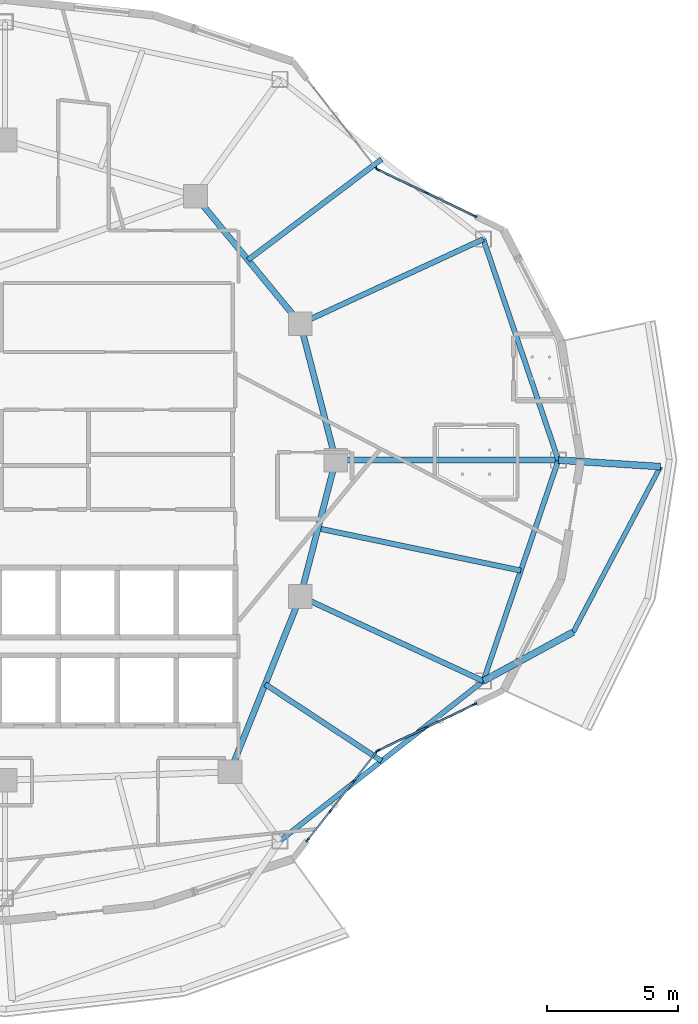
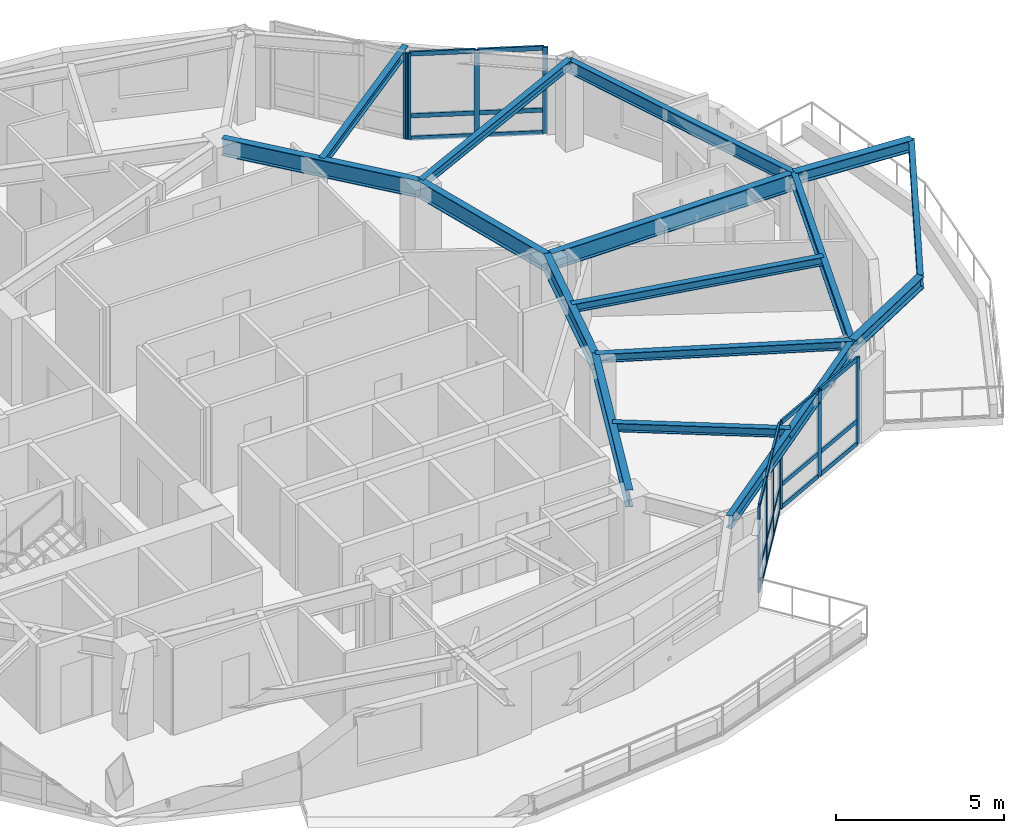
# One storey, part 4 of 19: 32 members, 16 beams, 4 elements without a shape of their own.
"""IFC4 building model written with IfcOpenShell, lengths in metres."""

from ifc_helpers import new_model, si_unit, direction, frame, origin, origin_2d, place, context, subcontext, project, spatial, rectangle, i_section, extrude, material, layer, layer_set, material_profile, profile_set, type_object, element, aggregate, save


model = new_model("IFC4")

# Units and contexts
model_context = context("Model", 3, precision=1e-05, world=origin(), true_north=direction((0.0, 1.0)))
body_context = subcontext(model_context, "Body", "Model", "MODEL_VIEW")
ifc_project = project(units=[si_unit("LENGTHUNIT", "METRE"), si_unit("AREAUNIT", "SQUARE_METRE"), si_unit("VOLUMEUNIT", "CUBIC_METRE"), si_unit("PLANEANGLEUNIT", "RADIAN"), si_unit("MASSUNIT", "GRAM", prefix="KILO")], contexts=[model_context])

# Site, building, storey
site_placement = place(None, origin())
site = spatial("IfcSite", under=ifc_project, at=site_placement, CompositionType="ELEMENT")
building_placement = place(site_placement, origin())
building = spatial("IfcBuilding", under=site, at=building_placement, Name="Kolvaren Gate Tower and Convention Centre", CompositionType="ELEMENT")
storey_placement = place(building_placement, frame((0.0, 0.0, 169.89990234375)))
storey = spatial("IfcBuildingStorey", under=building, at=storey_placement, Name="L44", CompositionType="ELEMENT", Elevation=169.89990234375)

# Curtain wall, members
ifc_material_1 = material(Name="Anodized Architectural Aluminium Alloy 6063-T6", Category="aluminium")
ifc_layer = layer(ifc_material_1, 0.159912109375)
ifc_layer_set = layer_set([ifc_layer], Name="Anodized Architectural Aluminium Alloy 6063-T6")
curtain_wall_type = type_object("IfcCurtainWallType", Name="CW-HTL-UNIT", PredefinedType="NOTDEFINED", material=ifc_layer_set)
curtain_wall_1_placement = place(storey_placement, origin())
curtain_wall_1 = element("IfcCurtainWall", 1, at=curtain_wall_1_placement, inside=storey, type_object=curtain_wall_type, Name="Tower L44 Unitised Curtain Wall CW-HTL-UNIT Bay 02", PredefinedType="NOTDEFINED")
ifc_material_profile_1 = material_profile(ifc_material_1, rectangle(XDim=0.06494140625, YDim=0.159912109375, at=origin_2d()), Name="CW-MEM-MUL-160")
ifc_profile_set_1 = profile_set([ifc_material_profile_1], Name="Anodized Architectural Aluminium Alloy 6063-T6")
member_type_1 = type_object("IfcMemberType", Name="CW-MEM-MUL-160", PredefinedType="MULLION", material=ifc_profile_set_1)
member_1_placement = place(storey_placement, frame((44.3427734375, 38.072021484375, 0.0), z_axis=(0.0, 0.0, 1.0), x_axis=(0.433073742482, 0.901358493371, 0.0)))
member_1 = element("IfcMember", 2, at=member_1_placement, type_object=member_type_1, Name="CW-03 mullion 1", PredefinedType="MULLION", context=body_context, shape_type="SweptSolid", body=[
    extrude(rectangle(XDim=0.06494140625, YDim=0.159912109375, at=origin_2d()), origin(), (0.0, 0.0, 1.0), 3.130126953125),
])
member_2_placement = place(storey_placement, frame((46.18603515625, 37.186279296875, 0.0), z_axis=(0.0, 0.0, 1.0), x_axis=(0.433073742482, 0.901358493371, 0.0)))
member_2 = element("IfcMember", 3, at=member_2_placement, type_object=member_type_1, Name="CW-03 mullion 2", PredefinedType="MULLION", context=body_context, shape_type="SweptSolid", body=[
    extrude(rectangle(XDim=0.06494140625, YDim=0.159912109375, at=origin_2d()), origin(), (0.0, 0.0, 1.0), 3.130126953125),
])
member_3_placement = place(storey_placement, frame((48.029296875, 36.30078125, 0.0), z_axis=(0.0, 0.0, 1.0), x_axis=(0.433073742482, 0.901358493371, 0.0)))
member_3 = element("IfcMember", 4, at=member_3_placement, type_object=member_type_1, Name="CW-03 mullion 3", PredefinedType="MULLION", context=body_context, shape_type="SweptSolid", body=[
    extrude(rectangle(XDim=0.06494140625, YDim=0.159912109375, at=origin_2d()), origin(), (0.0, 0.0, 1.0), 3.130126953125),
])

# Curtain wall, member
curtain_wall_2_placement = place(storey_placement, origin())
curtain_wall_2 = element("IfcCurtainWall", 5, at=curtain_wall_2_placement, inside=storey, type_object=curtain_wall_type, Name="Tower L44 Unitised Curtain Wall CW-HTL-UNIT Bay 03", PredefinedType="NOTDEFINED")
member_4_placement = place(storey_placement, frame((44.29345703125, 38.111572265625, 0.0), z_axis=(0.0, 0.0, 1.0), x_axis=(0.787403535469, 0.616437890084, 0.0)))
member_4 = element("IfcMember", 6, at=member_4_placement, type_object=member_type_1, Name="CW-03 mullion 4", PredefinedType="MULLION", context=body_context, shape_type="SweptSolid", body=[
    extrude(rectangle(XDim=0.06494140625, YDim=0.159912109375, at=origin_2d()), origin(), (0.0, 0.0, 1.0), 3.130126953125),
])
aggregate(curtain_wall_2, [member_4])

# Curtain wall, members
curtain_wall_3_placement = place(storey_placement, origin())
curtain_wall_3 = element("IfcCurtainWall", 7, at=curtain_wall_3_placement, inside=storey, type_object=curtain_wall_type, Name="Tower L44 Unitised Curtain Wall CW-HTL-UNIT Bay 20", PredefinedType="NOTDEFINED")
member_5_placement = place(storey_placement, frame((41.65380859375, 12.5166015625, 0.0), z_axis=(0.0, 0.0, 1.0), x_axis=(-0.787403535469, 0.616437890084, 0.0)))
member_5 = element("IfcMember", 8, at=member_5_placement, type_object=member_type_1, Name="CW-03 mullion 1", PredefinedType="MULLION", context=body_context, shape_type="SweptSolid", body=[
    extrude(rectangle(XDim=0.06494140625, YDim=0.159912109375, at=origin_2d()), origin(), (0.0, 0.0, 1.0), 3.130126953125),
])
member_6_placement = place(storey_placement, frame((42.527099609375, 13.632080078125, 0.0), z_axis=(0.0, 0.0, 1.0), x_axis=(-0.787403535469, 0.616437890084, 0.0)))
member_6 = element("IfcMember", 9, at=member_6_placement, type_object=member_type_1, Name="CW-03 mullion 2", PredefinedType="MULLION", context=body_context, shape_type="SweptSolid", body=[
    extrude(rectangle(XDim=0.06494140625, YDim=0.159912109375, at=origin_2d()), origin(), (0.0, 0.0, 1.0), 3.130126953125),
])
member_7_placement = place(storey_placement, frame((43.420166015625, 14.77294921875, 0.0), z_axis=(0.0, 0.0, 1.0), x_axis=(-0.787403535469, 0.616437890084, 0.0)))
member_7 = element("IfcMember", 10, at=member_7_placement, type_object=member_type_1, Name="CW-03 mullion 3", PredefinedType="MULLION", context=body_context, shape_type="SweptSolid", body=[
    extrude(rectangle(XDim=0.06494140625, YDim=0.159912109375, at=origin_2d()), origin(), (0.0, 0.0, 1.0), 3.130126953125),
])
member_8_placement = place(storey_placement, frame((44.29345703125, 15.888427734375, 0.0), z_axis=(0.0, 0.0, 1.0), x_axis=(-0.787403535469, 0.616437890084, 0.0)))
member_8 = element("IfcMember", 11, at=member_8_placement, type_object=member_type_1, Name="CW-03 mullion 4", PredefinedType="MULLION", context=body_context, shape_type="SweptSolid", body=[
    extrude(rectangle(XDim=0.06494140625, YDim=0.159912109375, at=origin_2d()), origin(), (0.0, 0.0, 1.0), 3.130126953125),
])

curtain_wall_4_placement = place(storey_placement, origin())
curtain_wall_4 = element("IfcCurtainWall", 12, at=curtain_wall_4_placement, inside=storey, type_object=curtain_wall_type, Name="Tower L44 Unitised Curtain Wall CW-HTL-UNIT Bay 21", PredefinedType="NOTDEFINED")
member_9_placement = place(storey_placement, frame((44.3427734375, 15.927978515625, 0.0), z_axis=(0.0, 0.0, 1.0), x_axis=(-0.433073742482, 0.901358493371, 0.0)))
member_9 = element("IfcMember", 13, at=member_9_placement, type_object=member_type_1, Name="CW-03 mullion 1", PredefinedType="MULLION", context=body_context, shape_type="SweptSolid", body=[
    extrude(rectangle(XDim=0.06494140625, YDim=0.159912109375, at=origin_2d()), origin(), (0.0, 0.0, 1.0), 3.130126953125),
])
member_10_placement = place(storey_placement, frame((46.18603515625, 16.813720703125, 0.0), z_axis=(0.0, 0.0, 1.0), x_axis=(-0.433073742482, 0.901358493371, 0.0)))
member_10 = element("IfcMember", 14, at=member_10_placement, type_object=member_type_1, Name="CW-03 mullion 2", PredefinedType="MULLION", context=body_context, shape_type="SweptSolid", body=[
    extrude(rectangle(XDim=0.06494140625, YDim=0.159912109375, at=origin_2d()), origin(), (0.0, 0.0, 1.0), 3.130126953125),
])
member_11_placement = place(storey_placement, frame((48.029296875, 17.69921875, 0.0), z_axis=(0.0, 0.0, 1.0), x_axis=(-0.433073742482, 0.901358493371, 0.0)))
member_11 = element("IfcMember", 15, at=member_11_placement, type_object=member_type_1, Name="CW-03 mullion 3", PredefinedType="MULLION", context=body_context, shape_type="SweptSolid", body=[
    extrude(rectangle(XDim=0.06494140625, YDim=0.159912109375, at=origin_2d()), origin(), (0.0, 0.0, 1.0), 3.130126953125),
])

# Member
ifc_material_profile_2 = material_profile(ifc_material_1, rectangle(XDim=0.06494140625, YDim=0.159912109375, at=origin_2d()), Name="CW-MEM-TRN-160")
ifc_profile_set_2 = profile_set([ifc_material_profile_2], Name="Anodized Architectural Aluminium Alloy 6063-T6")
member_type_2 = type_object("IfcMemberType", Name="CW-MEM-TRN-160", PredefinedType="USERDEFINED", material=ifc_profile_set_2)
member_12_placement = place(storey_placement, frame((44.3720703125, 38.057861328125, 0.03271484375), z_axis=(0.901369067985, -0.433051732799, 0.0), x_axis=(0.433051732799, 0.901369067985, 0.0)))
member_12 = element("IfcMember", 16, at=member_12_placement, type_object=member_type_2, Name="CW-03 transom 1.1", ObjectType="TRANSOM", PredefinedType="USERDEFINED", context=body_context, shape_type="SweptSolid", body=[
    extrude(rectangle(XDim=0.06494140625, YDim=0.159912109375, at=origin_2d()), origin(), (0.0, 0.0, 1.0), 1.97998046875),
])

member_13_placement = place(storey_placement, frame((44.3720703125, 38.057861328125, 0.85009765625), z_axis=(0.901369067985, -0.433051732799, 0.0), x_axis=(0.433051732799, 0.901369067985, 0.0)))
member_13 = element("IfcMember", 17, at=member_13_placement, type_object=member_type_2, Name="CW-03 transom 1.2", ObjectType="TRANSOM", PredefinedType="USERDEFINED", context=body_context, shape_type="SweptSolid", body=[
    extrude(rectangle(XDim=0.06494140625, YDim=0.159912109375, at=origin_2d()), origin(), (0.0, 0.0, 1.0), 1.97998046875),
])

member_14_placement = place(storey_placement, frame((44.3720703125, 38.057861328125, 3.09765625), z_axis=(0.901369067985, -0.433051732799, 0.0), x_axis=(0.433051732799, 0.901369067985, 0.0)))
member_14 = element("IfcMember", 18, at=member_14_placement, type_object=member_type_2, Name="CW-03 transom 1.3", ObjectType="TRANSOM", PredefinedType="USERDEFINED", context=body_context, shape_type="SweptSolid", body=[
    extrude(rectangle(XDim=0.06494140625, YDim=0.159912109375, at=origin_2d()), origin(), (0.0, 0.0, 1.0), 1.97998046875),
])

member_15_placement = place(storey_placement, frame((46.21533203125, 37.172119140625, 0.03271484375), z_axis=(0.901369067985, -0.433051732799, 0.0), x_axis=(0.433051732799, 0.901369067985, 0.0)))
member_15 = element("IfcMember", 19, at=member_15_placement, type_object=member_type_2, Name="CW-03 transom 2.1", ObjectType="TRANSOM", PredefinedType="USERDEFINED", context=body_context, shape_type="SweptSolid", body=[
    extrude(rectangle(XDim=0.06494140625, YDim=0.159912109375, at=origin_2d()), origin(), (0.0, 0.0, 1.0), 1.97998046875),
])

member_16_placement = place(storey_placement, frame((46.21533203125, 37.172119140625, 0.85009765625), z_axis=(0.901369067985, -0.433051732799, 0.0), x_axis=(0.433051732799, 0.901369067985, 0.0)))
member_16 = element("IfcMember", 20, at=member_16_placement, type_object=member_type_2, Name="CW-03 transom 2.2", ObjectType="TRANSOM", PredefinedType="USERDEFINED", context=body_context, shape_type="SweptSolid", body=[
    extrude(rectangle(XDim=0.06494140625, YDim=0.159912109375, at=origin_2d()), origin(), (0.0, 0.0, 1.0), 1.97998046875),
])

member_17_placement = place(storey_placement, frame((46.21533203125, 37.172119140625, 3.09765625), z_axis=(0.901369067985, -0.433051732799, 0.0), x_axis=(0.433051732799, 0.901369067985, 0.0)))
member_17 = element("IfcMember", 21, at=member_17_placement, type_object=member_type_2, Name="CW-03 transom 2.3", ObjectType="TRANSOM", PredefinedType="USERDEFINED", context=body_context, shape_type="SweptSolid", body=[
    extrude(rectangle(XDim=0.06494140625, YDim=0.159912109375, at=origin_2d()), origin(), (0.0, 0.0, 1.0), 1.97998046875),
])

aggregate(curtain_wall_1, [member_1, member_2, member_3, member_12, member_13, member_14, member_15, member_16, member_17])

member_18_placement = place(storey_placement, frame((41.673828125, 12.542236328125, 0.03271484375), z_axis=(0.616488451497, 0.787363949626, 0.0), x_axis=(-0.787363949626, 0.616488451497, 0.0)))
member_18 = element("IfcMember", 22, at=member_18_placement, type_object=member_type_2, Name="CW-03 transom 1.1", ObjectType="TRANSOM", PredefinedType="USERDEFINED", context=body_context, shape_type="SweptSolid", body=[
    extrude(rectangle(XDim=0.06494140625, YDim=0.159912109375, at=origin_2d()), origin(), (0.0, 0.0, 1.0), 1.3515625),
])

member_19_placement = place(storey_placement, frame((41.673828125, 12.542236328125, 0.85009765625), z_axis=(0.616488451497, 0.787363949626, 0.0), x_axis=(-0.787363949626, 0.616488451497, 0.0)))
member_19 = element("IfcMember", 23, at=member_19_placement, type_object=member_type_2, Name="CW-03 transom 1.2", ObjectType="TRANSOM", PredefinedType="USERDEFINED", context=body_context, shape_type="SweptSolid", body=[
    extrude(rectangle(XDim=0.06494140625, YDim=0.159912109375, at=origin_2d()), origin(), (0.0, 0.0, 1.0), 1.3515625),
])

member_20_placement = place(storey_placement, frame((41.673828125, 12.542236328125, 3.09765625), z_axis=(0.616488451497, 0.787363949626, 0.0), x_axis=(-0.787363949626, 0.616488451497, 0.0)))
member_20 = element("IfcMember", 24, at=member_20_placement, type_object=member_type_2, Name="CW-03 transom 1.3", ObjectType="TRANSOM", PredefinedType="USERDEFINED", context=body_context, shape_type="SweptSolid", body=[
    extrude(rectangle(XDim=0.06494140625, YDim=0.159912109375, at=origin_2d()), origin(), (0.0, 0.0, 1.0), 1.3515625),
])

member_21_placement = place(storey_placement, frame((42.547119140625, 13.65771484375, 0.03271484375), z_axis=(0.616355825524, 0.787467774796, 0.0), x_axis=(-0.787467774796, 0.616355825524, 0.0)))
member_21 = element("IfcMember", 25, at=member_21_placement, type_object=member_type_2, Name="CW-03 transom 2.1", ObjectType="TRANSOM", PredefinedType="USERDEFINED", context=body_context, shape_type="SweptSolid", body=[
    extrude(rectangle(XDim=0.06494140625, YDim=0.159912109375, at=origin_2d()), origin(), (0.0, 0.0, 1.0), 1.384033203125),
])

member_22_placement = place(storey_placement, frame((42.547119140625, 13.65771484375, 0.85009765625), z_axis=(0.616355825524, 0.787467774796, 0.0), x_axis=(-0.787467774796, 0.616355825524, 0.0)))
member_22 = element("IfcMember", 26, at=member_22_placement, type_object=member_type_2, Name="CW-03 transom 2.2", ObjectType="TRANSOM", PredefinedType="USERDEFINED", context=body_context, shape_type="SweptSolid", body=[
    extrude(rectangle(XDim=0.06494140625, YDim=0.159912109375, at=origin_2d()), origin(), (0.0, 0.0, 1.0), 1.384033203125),
])

member_23_placement = place(storey_placement, frame((42.547119140625, 13.65771484375, 3.09765625), z_axis=(0.616355825524, 0.787467774796, 0.0), x_axis=(-0.787467774796, 0.616355825524, 0.0)))
member_23 = element("IfcMember", 27, at=member_23_placement, type_object=member_type_2, Name="CW-03 transom 2.3", ObjectType="TRANSOM", PredefinedType="USERDEFINED", context=body_context, shape_type="SweptSolid", body=[
    extrude(rectangle(XDim=0.06494140625, YDim=0.159912109375, at=origin_2d()), origin(), (0.0, 0.0, 1.0), 1.384033203125),
])

member_24_placement = place(storey_placement, frame((43.440185546875, 14.798583984375, 0.03271484375), z_axis=(0.616488451497, 0.787363949626, 0.0), x_axis=(-0.787363949626, 0.616488451497, 0.0)))
member_24 = element("IfcMember", 28, at=member_24_placement, type_object=member_type_2, Name="CW-03 transom 3.1", ObjectType="TRANSOM", PredefinedType="USERDEFINED", context=body_context, shape_type="SweptSolid", body=[
    extrude(rectangle(XDim=0.06494140625, YDim=0.159912109375, at=origin_2d()), origin(), (0.0, 0.0, 1.0), 1.3515625),
])

member_25_placement = place(storey_placement, frame((43.440185546875, 14.798583984375, 0.85009765625), z_axis=(0.616488451497, 0.787363949626, 0.0), x_axis=(-0.787363949626, 0.616488451497, 0.0)))
member_25 = element("IfcMember", 29, at=member_25_placement, type_object=member_type_2, Name="CW-03 transom 3.2", ObjectType="TRANSOM", PredefinedType="USERDEFINED", context=body_context, shape_type="SweptSolid", body=[
    extrude(rectangle(XDim=0.06494140625, YDim=0.159912109375, at=origin_2d()), origin(), (0.0, 0.0, 1.0), 1.3515625),
])

member_26_placement = place(storey_placement, frame((43.440185546875, 14.798583984375, 3.09765625), z_axis=(0.616488451497, 0.787363949626, 0.0), x_axis=(-0.787363949626, 0.616488451497, 0.0)))
member_26 = element("IfcMember", 30, at=member_26_placement, type_object=member_type_2, Name="CW-03 transom 3.3", ObjectType="TRANSOM", PredefinedType="USERDEFINED", context=body_context, shape_type="SweptSolid", body=[
    extrude(rectangle(XDim=0.06494140625, YDim=0.159912109375, at=origin_2d()), origin(), (0.0, 0.0, 1.0), 1.3515625),
])

aggregate(curtain_wall_3, [member_5, member_6, member_7, member_8, member_18, member_19, member_20, member_21, member_22, member_23, member_24, member_25, member_26])

member_27_placement = place(storey_placement, frame((44.3720703125, 15.942138671875, 0.03271484375), z_axis=(0.901369067985, 0.433051732799, 0.0), x_axis=(-0.433051732799, 0.901369067985, 0.0)))
member_27 = element("IfcMember", 31, at=member_27_placement, type_object=member_type_2, Name="CW-03 transom 1.1", ObjectType="TRANSOM", PredefinedType="USERDEFINED", context=body_context, shape_type="SweptSolid", body=[
    extrude(rectangle(XDim=0.06494140625, YDim=0.159912109375, at=origin_2d()), origin(), (0.0, 0.0, 1.0), 1.97998046875),
])

member_28_placement = place(storey_placement, frame((44.3720703125, 15.942138671875, 0.85009765625), z_axis=(0.901369067985, 0.433051732799, 0.0), x_axis=(-0.433051732799, 0.901369067985, 0.0)))
member_28 = element("IfcMember", 32, at=member_28_placement, type_object=member_type_2, Name="CW-03 transom 1.2", ObjectType="TRANSOM", PredefinedType="USERDEFINED", context=body_context, shape_type="SweptSolid", body=[
    extrude(rectangle(XDim=0.06494140625, YDim=0.159912109375, at=origin_2d()), origin(), (0.0, 0.0, 1.0), 1.97998046875),
])

member_29_placement = place(storey_placement, frame((44.3720703125, 15.942138671875, 3.09765625), z_axis=(0.901369067985, 0.433051732799, 0.0), x_axis=(-0.433051732799, 0.901369067985, 0.0)))
member_29 = element("IfcMember", 33, at=member_29_placement, type_object=member_type_2, Name="CW-03 transom 1.3", ObjectType="TRANSOM", PredefinedType="USERDEFINED", context=body_context, shape_type="SweptSolid", body=[
    extrude(rectangle(XDim=0.06494140625, YDim=0.159912109375, at=origin_2d()), origin(), (0.0, 0.0, 1.0), 1.97998046875),
])

member_30_placement = place(storey_placement, frame((46.21533203125, 16.827880859375, 0.03271484375), z_axis=(0.901369067985, 0.433051732799, 0.0), x_axis=(-0.433051732799, 0.901369067985, 0.0)))
member_30 = element("IfcMember", 34, at=member_30_placement, type_object=member_type_2, Name="CW-03 transom 2.1", ObjectType="TRANSOM", PredefinedType="USERDEFINED", context=body_context, shape_type="SweptSolid", body=[
    extrude(rectangle(XDim=0.06494140625, YDim=0.159912109375, at=origin_2d()), origin(), (0.0, 0.0, 1.0), 1.97998046875),
])

member_31_placement = place(storey_placement, frame((46.21533203125, 16.827880859375, 0.85009765625), z_axis=(0.901369067985, 0.433051732799, 0.0), x_axis=(-0.433051732799, 0.901369067985, 0.0)))
member_31 = element("IfcMember", 35, at=member_31_placement, type_object=member_type_2, Name="CW-03 transom 2.2", ObjectType="TRANSOM", PredefinedType="USERDEFINED", context=body_context, shape_type="SweptSolid", body=[
    extrude(rectangle(XDim=0.06494140625, YDim=0.159912109375, at=origin_2d()), origin(), (0.0, 0.0, 1.0), 1.97998046875),
])

member_32_placement = place(storey_placement, frame((46.21533203125, 16.827880859375, 3.09765625), z_axis=(0.901369067985, 0.433051732799, 0.0), x_axis=(-0.433051732799, 0.901369067985, 0.0)))
member_32 = element("IfcMember", 36, at=member_32_placement, type_object=member_type_2, Name="CW-03 transom 2.3", ObjectType="TRANSOM", PredefinedType="USERDEFINED", context=body_context, shape_type="SweptSolid", body=[
    extrude(rectangle(XDim=0.06494140625, YDim=0.159912109375, at=origin_2d()), origin(), (0.0, 0.0, 1.0), 1.97998046875),
])

aggregate(curtain_wall_4, [member_9, member_10, member_11, member_27, member_28, member_29, member_30, member_31, member_32])

# Beams
ifc_material_2 = material(Name="Structural steel ASTM A992 Grade 345 MPa", Category="steel")
ifc_material_profile_3 = material_profile(ifc_material_2, i_section(OverallWidth=0.260009765625, OverallDepth=0.419921875, WebThickness=0.013427734375, FlangeThickness=0.0224609375, at=origin_2d()), Name="W410X132")
ifc_profile_set_3 = profile_set([ifc_material_profile_3], Name="Structural steel ASTM A992 Grade 345 MPa")
beam_type_1 = type_object("IfcBeamType", Name="STR-BM-W410X132", PredefinedType="BEAM", material=ifc_profile_set_3)
for number, where, z_axis, x_axis, name in (
    (37, (48.351806640625, 18.581298828125, 2.920654296875), (0.878175335842, 0.47833887519, 0.0), (-0.47833887519, 0.878175335842, 0.0), "Tower L45 Planted Balcony Outrigger Cantilever BC-4A"),
    (38, (51.21240234375, 27.0, 2.920654296875), (0.997967389097, -0.063726684362, 0.0), (0.063726684362, 0.997967389097, 0.0), "Tower L45 Planted Balcony Outrigger Cantilever BC-4B"),
):
    element("IfcBeam", number, at=place(storey_placement, frame(where, z_axis=z_axis, x_axis=x_axis)), inside=storey, type_object=beam_type_1, Name=name, PredefinedType="BEAM", context=body_context, shape_type="SweptSolid", body=[
        extrude(i_section(OverallWidth=0.260009765625, OverallDepth=0.419921875, WebThickness=0.013427734375, FlangeThickness=0.0224609375, at=origin_2d()), origin(), (0.0, 0.0, 1.0), 3.89990234375),
    ])
ifc_material_profile_4 = material_profile(ifc_material_2, i_section(OverallWidth=0.22998046875, OverallDepth=0.616943359375, WebThickness=0.01318359375, FlangeThickness=0.022216796875, at=origin_2d()), Name="W610X140")
ifc_profile_set_4 = profile_set([ifc_material_profile_4], Name="Structural steel ASTM A992 Grade 345 MPa")
beam_type_2 = type_object("IfcBeamType", Name="STR-BM-W610X140", PredefinedType="BEAM", material=ifc_profile_set_4)
beam_1_placement = place(storey_placement, frame((42.72509765625, 27.0, 2.821533203125), z_axis=(-0.250091133936, -0.968222301296, 0.0), x_axis=(0.968222301296, -0.250091133936, 0.0)))
element("IfcBeam", 39, at=beam_1_placement, inside=storey, type_object=beam_type_2, Name="Tower L44 Primary Ring Girder G-01", PredefinedType="BEAM", context=body_context, shape_type="SweptSolid", body=[
    extrude(i_section(OverallWidth=0.22998046875, OverallDepth=0.616943359375, WebThickness=0.01318359375, FlangeThickness=0.022216796875, at=origin_2d()), origin(), (0.0, 0.0, 1.0), 5.3701171875),
])
beam_2_placement = place(storey_placement, frame((41.382080078125, 32.199462890625, 2.821533203125), z_axis=(-0.635884066011, 0.771784590798, 0.0), x_axis=(-0.771784590798, -0.635884066011, 0.0)))
element("IfcBeam", 40, at=beam_2_placement, inside=storey, type_object=beam_type_2, Name="Tower L44 Primary Ring Girder G-02", PredefinedType="BEAM", context=body_context, shape_type="SweptSolid", body=[
    extrude(i_section(OverallWidth=0.22998046875, OverallDepth=0.616943359375, WebThickness=0.01318359375, FlangeThickness=0.022216796875, at=origin_2d()), origin(), (0.0, 0.0, 1.0), 6.291259765625),
])
beam_3_placement = place(storey_placement, frame((38.6982421875, 15.12060546875, 2.821533203125), z_axis=(0.372811100169, 0.927907260232, 0.0), x_axis=(-0.927907260232, 0.372811100169, 0.0)))
element("IfcBeam", 41, at=beam_3_placement, inside=storey, type_object=beam_type_2, Name="Tower L44 Primary Ring Girder G-09", PredefinedType="BEAM", context=body_context, shape_type="SweptSolid", body=[
    extrude(i_section(OverallWidth=0.22998046875, OverallDepth=0.616943359375, WebThickness=0.01318359375, FlangeThickness=0.022216796875, at=origin_2d()), origin(), (0.0, 0.0, 1.0), 7.198974609375),
])
beam_4_placement = place(storey_placement, frame((42.72509765625, 27.0, 2.821533203125), z_axis=(-0.250091133936, 0.968222301296, 0.0), x_axis=(-0.968222301296, -0.250091133936, 0.0)))
element("IfcBeam", 42, at=beam_4_placement, inside=storey, type_object=beam_type_2, Name="Tower L44 Primary Ring Girder G-12", PredefinedType="BEAM", context=body_context, shape_type="SweptSolid", body=[
    extrude(i_section(OverallWidth=0.22998046875, OverallDepth=0.616943359375, WebThickness=0.01318359375, FlangeThickness=0.022216796875, at=origin_2d()), origin(), (0.0, 0.0, 1.0), 5.3701171875),
])
beam_5_placement = place(storey_placement, frame((42.72509765625, 27.0, 2.821533203125), z_axis=(1.0, 0.0, 0.0), x_axis=(0.0, 1.0, 0.0)))
element("IfcBeam", 43, at=beam_5_placement, inside=storey, type_object=beam_type_2, Name="Tower L44 Radial Floor Girder RB-01", PredefinedType="BEAM", context=body_context, shape_type="SweptSolid", body=[
    extrude(i_section(OverallWidth=0.22998046875, OverallDepth=0.616943359375, WebThickness=0.01318359375, FlangeThickness=0.022216796875, at=origin_2d()), origin(), (0.0, 0.0, 1.0), 8.4873046875),
])
ifc_material_profile_5 = material_profile(ifc_material_2, i_section(OverallWidth=0.205078125, OverallDepth=0.31005859375, WebThickness=0.009521484375, FlangeThickness=0.016357421875, at=origin_2d()), Name="W310X74")
ifc_profile_set_5 = profile_set([ifc_material_profile_5], Name="Structural steel ASTM A992 Grade 345 MPa")
beam_type_3 = type_object("IfcBeamType", Name="STR-JS-W310X74", PredefinedType="JOIST", material=ifc_profile_set_5)
for number, where, z_axis, x_axis, name in (
    (44, (41.382080078125, 32.199462890625, 2.97509765625), (0.907838349939, 0.419320319542, 0.0), (-0.419320319542, 0.907838349939, 0.0), "Tower L44 Radial Floor Girder RB-02"),
    (45, (41.382080078125, 21.800537109375, 2.97509765625), (0.907838349939, -0.419320319542, 0.0), (0.419320319542, 0.907838349939, 0.0), "Tower L44 Radial Floor Girder RB-12"),
):
    element("IfcBeam", number, at=place(storey_placement, frame(where, z_axis=z_axis, x_axis=x_axis)), inside=storey, type_object=beam_type_3, Name=name, PredefinedType="JOIST", context=body_context, shape_type="SweptSolid", body=[
        extrude(i_section(OverallWidth=0.205078125, OverallDepth=0.31005859375, WebThickness=0.009521484375, FlangeThickness=0.016357421875, at=origin_2d()), origin(), (0.0, 0.0, 1.0), 7.67724609375),
    ])
beam_6_placement = place(storey_placement, frame((39.3818359375, 34.627197265625, 2.97509765625), z_axis=(0.798665513939, 0.601775204577, 0.0), x_axis=(-0.601775204577, 0.798665513939, 0.0)))
element("IfcBeam", 46, at=beam_6_placement, inside=storey, type_object=beam_type_3, Name="Tower L44 Secondary Composite Floor Joist J-02.1", PredefinedType="JOIST", context=body_context, shape_type="SweptSolid", body=[
    extrude(i_section(OverallWidth=0.205078125, OverallDepth=0.31005859375, WebThickness=0.009521484375, FlangeThickness=0.016357421875, at=origin_2d()), origin(), (0.0, 0.0, 1.0), 6.3759765625),
])
beam_7_placement = place(storey_placement, frame((40.040283203125, 18.46044921875, 2.97509765625), z_axis=(0.834762790112, -0.550609738602, 0.0), x_axis=(0.550609738602, 0.834762790112, 0.0)))
element("IfcBeam", 47, at=beam_7_placement, inside=storey, type_object=beam_type_3, Name="Tower L44 Secondary Composite Floor Joist J-11.1", PredefinedType="JOIST", context=body_context, shape_type="SweptSolid", body=[
    extrude(i_section(OverallWidth=0.205078125, OverallDepth=0.31005859375, WebThickness=0.009521484375, FlangeThickness=0.016357421875, at=origin_2d()), origin(), (0.0, 0.0, 1.0), 5.3115234375),
])
beam_8_placement = place(storey_placement, frame((42.0537109375, 24.400146484375, 2.97509765625), z_axis=(0.978997655145, -0.203871506641, 0.0), x_axis=(0.203871506641, 0.978997655145, 0.0)))
element("IfcBeam", 48, at=beam_8_placement, inside=storey, type_object=beam_type_3, Name="Tower L44 Secondary Composite Floor Joist J-12.1", PredefinedType="JOIST", context=body_context, shape_type="SweptSolid", body=[
    extrude(i_section(OverallWidth=0.205078125, OverallDepth=0.31005859375, WebThickness=0.009521484375, FlangeThickness=0.016357421875, at=origin_2d()), origin(), (0.0, 0.0, 1.0), 7.89404296875),
])
ifc_material_profile_6 = material_profile(ifc_material_2, i_section(OverallWidth=0.180908203125, OverallDepth=0.4169921875, WebThickness=0.010986328125, FlangeThickness=0.018310546875, at=origin_2d()), Name="W410X85")
ifc_profile_set_6 = profile_set([ifc_material_profile_6], Name="Structural steel ASTM A992 Grade 345 MPa")
beam_type_4 = type_object("IfcBeamType", Name="STR-SP-W410X85", PredefinedType="SPANDREL", material=ifc_profile_set_6)
beam_9_placement = place(storey_placement, frame((51.776611328125, 20.44677734375, 2.922119140625), z_axis=(0.466803260322, 0.884361191003, 0.0), x_axis=(-0.884361191003, 0.466803260322, 0.0)))
element("IfcBeam", 49, at=beam_9_placement, inside=storey, type_object=beam_type_4, Name="Tower L45 Planted Balcony Header Tie Beam BT-4", PredefinedType="SPANDREL", context=body_context, shape_type="SweptSolid", body=[
    extrude(i_section(OverallWidth=0.180908203125, OverallDepth=0.4169921875, WebThickness=0.010986328125, FlangeThickness=0.018310546875, at=origin_2d()), origin(), (0.0, 0.0, 1.0), 7.129150390625),
])
ifc_material_profile_7 = material_profile(ifc_material_2, i_section(OverallWidth=0.194091796875, OverallDepth=0.468994140625, WebThickness=0.0126953125, FlangeThickness=0.0205078125, at=origin_2d()), Name="W460X106")
ifc_profile_set_7 = profile_set([ifc_material_profile_7], Name="Structural steel ASTM A992 Grade 345 MPa")
beam_type_5 = type_object("IfcBeamType", Name="STR-SP-W460X106", PredefinedType="SPANDREL", material=ifc_profile_set_7)
beam_10_placement = place(storey_placement, frame((51.21240234375, 27.0, 2.8955078125), z_axis=(-0.321725023609, 0.946833147489, 0.0), x_axis=(-0.946833147489, -0.321725023609, 0.0)))
element("IfcBeam", 50, at=beam_10_placement, inside=storey, type_object=beam_type_5, Name="Tower L44 Perimeter Spandrel Beam SP-01", PredefinedType="SPANDREL", context=body_context, shape_type="SweptSolid", body=[
    extrude(i_section(OverallWidth=0.194091796875, OverallDepth=0.468994140625, WebThickness=0.0126953125, FlangeThickness=0.0205078125, at=origin_2d()), origin(), (0.0, 0.0, 1.0), 8.891357421875),
])
beam_11_placement = place(storey_placement, frame((40.596435546875, 12.490478515625, 2.8955078125), z_axis=(0.786450621777, 0.617653154697, 0.0), x_axis=(-0.617653154697, 0.786450621777, 0.0)))
element("IfcBeam", 51, at=beam_11_placement, inside=storey, type_object=beam_type_5, Name="Tower L44 Perimeter Spandrel Beam SP-11", PredefinedType="SPANDREL", context=body_context, shape_type="SweptSolid", body=[
    extrude(i_section(OverallWidth=0.194091796875, OverallDepth=0.468994140625, WebThickness=0.0126953125, FlangeThickness=0.0205078125, at=origin_2d()), origin(), (0.0, 0.0, 1.0), 9.861328125),
])
beam_12_placement = place(storey_placement, frame((48.351806640625, 18.581298828125, 2.8955078125), z_axis=(0.321725023609, 0.946833147489, 0.0), x_axis=(-0.946833147489, 0.321725023609, 0.0)))
element("IfcBeam", 52, at=beam_12_placement, inside=storey, type_object=beam_type_5, Name="Tower L44 Perimeter Spandrel Beam SP-12", PredefinedType="SPANDREL", context=body_context, shape_type="SweptSolid", body=[
    extrude(i_section(OverallWidth=0.194091796875, OverallDepth=0.468994140625, WebThickness=0.0126953125, FlangeThickness=0.0205078125, at=origin_2d()), origin(), (0.0, 0.0, 1.0), 8.891357421875),
])

save(model, "model.ifc")
